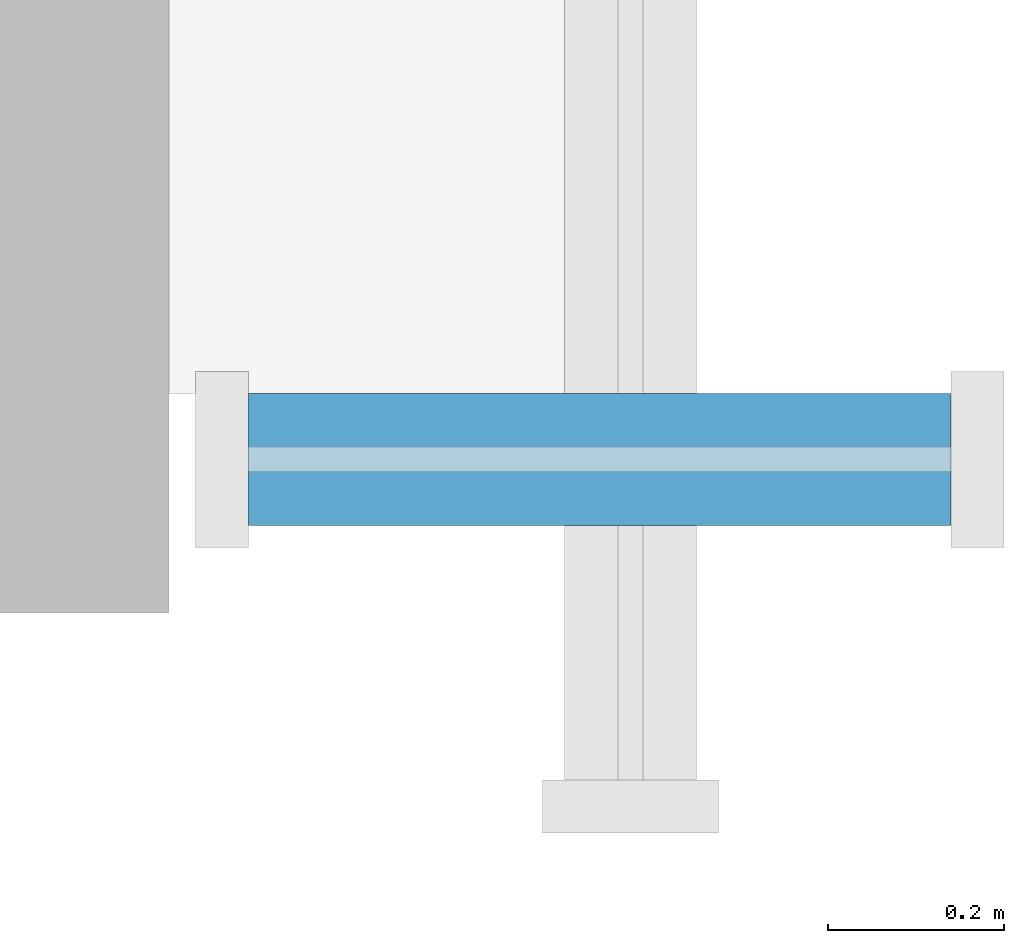
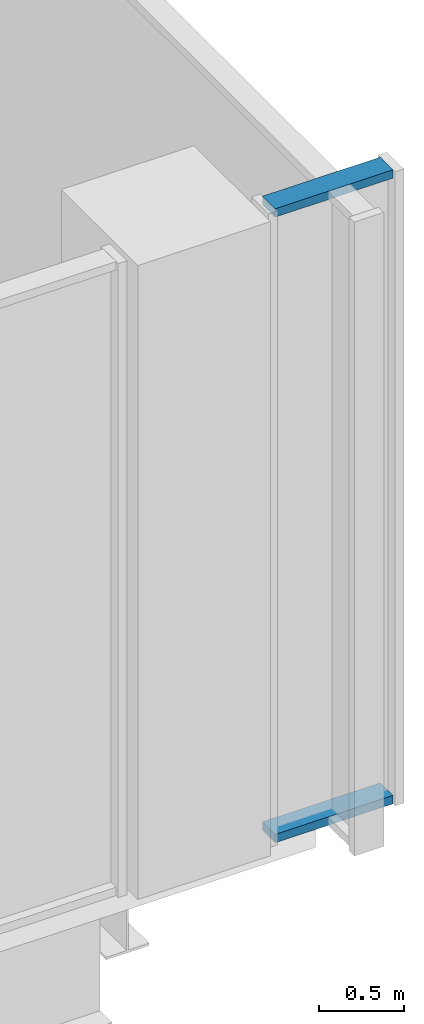
# One storey, part 17 of 33: 2 members, 1 element without a shape of its own.
"""IFC4 building model written with IfcOpenShell, lengths in metres."""

from ifc_helpers import new_model, si_unit, direction, frame, origin, origin_2d, place, context, subcontext, project, spatial, rectangle, extrude, material, material_profile, profile_set, type_object, element, aggregate, save


model = new_model("IFC4")

# Units and contexts
model_context = context("Model", 3, precision=1e-05, world=origin(), true_north=direction((0.0, 1.0)))
body_context = subcontext(model_context, "Body", "Model", "MODEL_VIEW")
ifc_project = project(units=[si_unit("LENGTHUNIT", "METRE"), si_unit("AREAUNIT", "SQUARE_METRE"), si_unit("VOLUMEUNIT", "CUBIC_METRE"), si_unit("PLANEANGLEUNIT", "RADIAN"), si_unit("MASSUNIT", "GRAM", prefix="KILO")], contexts=[model_context])

# Site, building, storey
site_placement = place(None, origin())
site = spatial("IfcSite", under=ifc_project, at=site_placement, CompositionType="ELEMENT")
building_placement = place(site_placement, origin())
building = spatial("IfcBuilding", under=site, at=building_placement, Name="Tessera Gate Towers", CompositionType="ELEMENT")
storey_placement = place(building_placement, frame((0.0, 0.0, 7.199951171875)))
storey = spatial("IfcBuildingStorey", under=building, at=storey_placement, Name="L01", CompositionType="ELEMENT", Elevation=7.199951171875)

# Curtain wall, members
ifc_material_1 = material(Name="Aluminium frame", Category="aluminium")
curtain_wall_type = type_object("IfcCurtainWallType", Name="CW-S1 podium storefront", PredefinedType="NOTDEFINED", material=ifc_material_1)
curtain_wall_placement = place(storey_placement, origin())
curtain_wall = element("IfcCurtainWall", 1, at=curtain_wall_placement, inside=storey, type_object=curtain_wall_type, Name="Curtain wall podium storefront 0172", PredefinedType="NOTDEFINED")
ifc_material_2 = material(Name="Aluminium frame", Category="aluminium")
ifc_material_profile = material_profile(ifc_material_2, rectangle(XDim=0.14990234375, YDim=0.06005859375, at=origin_2d()), Name="AL 60x150")
ifc_profile_set = profile_set([ifc_material_profile], Name="Aluminium frame")
member_type = type_object("IfcMemberType", Name="TR-S1 transom 60x150", PredefinedType="USERDEFINED", material=ifc_profile_set)
member_1_placement = place(storey_placement, frame((137.840087890625, 18.72509765625, 0.030029296875), z_axis=(1.0, 0.0, 0.0), x_axis=(0.0, 1.0, 0.0)))
member_1 = element("IfcMember", 2, at=member_1_placement, type_object=member_type, Name="PD-CW1-0172 transom 1.1", ObjectType="TRANSOM", PredefinedType="USERDEFINED", context=body_context, shape_type="SweptSolid", body=[
    extrude(rectangle(XDim=0.14990234375, YDim=0.06005859375, at=origin_2d()), origin(), (0.0, 0.0, 1.0), 0.7998046875),
])
member_2_placement = place(storey_placement, frame((137.840087890625, 18.72509765625, 4.52001953125), z_axis=(1.0, 0.0, 0.0), x_axis=(0.0, 1.0, 0.0)))
member_2 = element("IfcMember", 3, at=member_2_placement, type_object=member_type, Name="PD-CW1-0172 transom 1.2", ObjectType="TRANSOM", PredefinedType="USERDEFINED", context=body_context, shape_type="SweptSolid", body=[
    extrude(rectangle(XDim=0.14990234375, YDim=0.06005859375, at=origin_2d()), origin(), (0.0, 0.0, 1.0), 0.7998046875),
])
aggregate(curtain_wall, [member_1, member_2])

save(model, "model.ifc")
